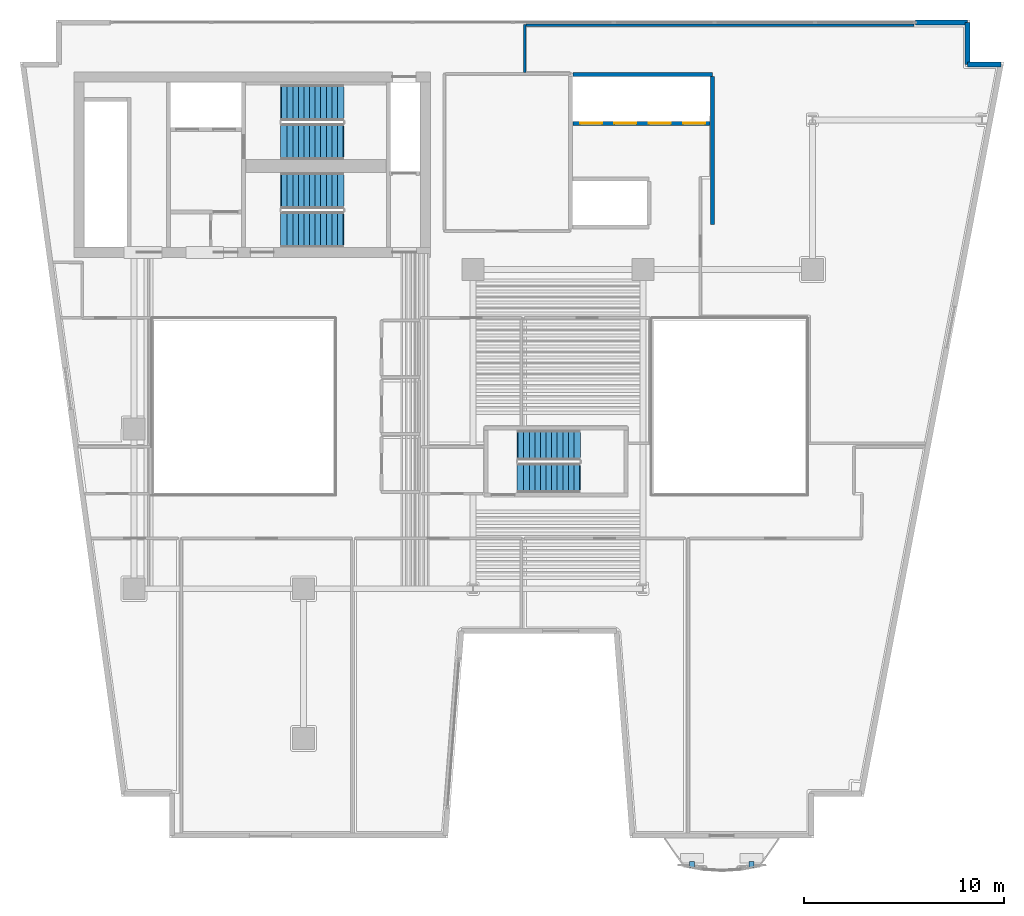
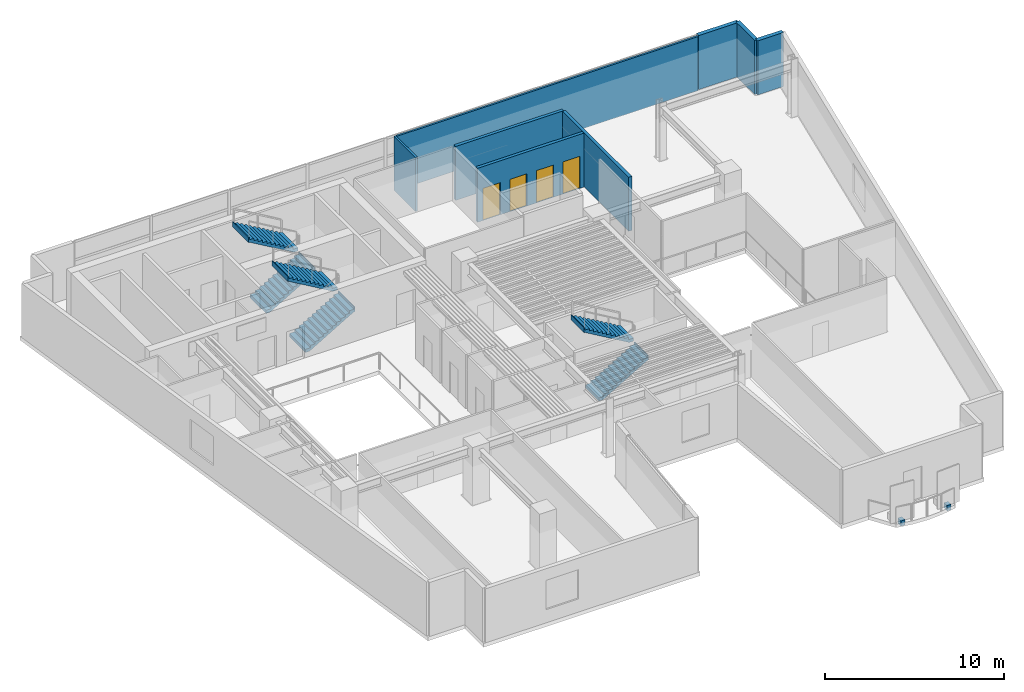
# One storey, part 8 of 12: 8 walls, 6 stair flights, 4 doors, 2 discrete accessories, 4 openings, 3 elements without a shape of their own.
"""IFC4 building model written with IfcOpenShell, lengths in metres."""

from ifc_helpers import new_model, si_unit, direction, frame, frame_2d, origin, origin_2d, place, context, subcontext, project, spatial, polyline, rectangle, outline, extrude, material, layer, layer_set, type_object, element, fill, aggregate, save


model = new_model("IFC4")

# Units and contexts
model_context = context("Model", 3, precision=1e-05, world=origin(), true_north=direction((0.0, 1.0)))
body_context = subcontext(model_context, "Body", "Model", "MODEL_VIEW")
ifc_project = project(units=[si_unit("LENGTHUNIT", "METRE"), si_unit("AREAUNIT", "SQUARE_METRE"), si_unit("VOLUMEUNIT", "CUBIC_METRE"), si_unit("PLANEANGLEUNIT", "RADIAN"), si_unit("MASSUNIT", "GRAM", prefix="KILO")], contexts=[model_context])

# Site, building, storey
site_placement = place(None, origin())
site = spatial("IfcSite", under=ifc_project, at=site_placement, CompositionType="ELEMENT")
building_placement = place(site_placement, origin())
building = spatial("IfcBuilding", under=site, at=building_placement, Name="Caeloran Harvest Quay", CompositionType="ELEMENT")
storey_placement = place(building_placement, frame((0.0, 0.0, 154.85009765625)))
storey = spatial("IfcBuildingStorey", under=building, at=storey_placement, Name="L36", CompositionType="ELEMENT", Elevation=154.85009765625)

# Walls
ifc_material_1 = material(Name="Precast concrete C50/60", Category="concrete")
ifc_layer_1 = layer(ifc_material_1, 0.260009765625, Name="Precast concrete C50/60")
ifc_layer_set_1 = layer_set([ifc_layer_1], Name="Precast concrete C50/60")
wall_type_1 = type_object("IfcWallType", Name="ENV-WALL-EW-260", PredefinedType="STANDARD", material=ifc_layer_set_1)
wall_1_placement = place(storey_placement, frame((47.669921875, 43.3701171875, 0.0), z_axis=(0.0, 0.0, 1.0), x_axis=(1.0, 0.0, 0.0)))
element("IfcWall", 1, at=wall_1_placement, inside=storey, type_object=wall_type_1, Name="L36 Exterior Facade Corner Pier Wall 6B", PredefinedType="STANDARD", context=body_context, shape_type="SweptSolid", body=[
    extrude(rectangle(XDim=2.60009765625, YDim=0.260009765625, at=frame_2d((1.300048828125, 0.0))), origin(), (0.0, 0.0, 1.0), 3.68994140625),
])
wall_2_placement = place(storey_placement, frame((50.27001953125, 43.3701171875, 0.0), z_axis=(0.0, 0.0, 1.0), x_axis=(0.0, -1.0, 0.0)))
element("IfcWall", 2, at=wall_2_placement, inside=storey, type_object=wall_type_1, Name="L36 Exterior Precast Concrete Facade Wall 7", PredefinedType="STANDARD", context=body_context, shape_type="SweptSolid", body=[
    extrude(rectangle(XDim=2.10009765625, YDim=0.260009765625, at=frame_2d((1.050048828125, 0.0))), origin(), (0.0, 0.0, 1.0), 3.68994140625),
])
wall_3_placement = place(storey_placement, frame((50.27001953125, 41.27001953125, 0.0), z_axis=(0.0, 0.0, 1.0), x_axis=(1.0, 0.0, 0.0)))
element("IfcWall", 3, at=wall_3_placement, inside=storey, type_object=wall_type_1, Name="L36 Exterior Precast Concrete Facade Wall 8", PredefinedType="STANDARD", context=body_context, shape_type="SweptSolid", body=[
    extrude(rectangle(XDim=1.671875, YDim=0.260009765625, at=frame_2d((0.8359375, 0.0))), origin(), (0.0, 0.0, 1.0), 3.68994140625),
])
ifc_material_2 = material(Name="Twin-Stud Mineral-Wool Acoustic Gypsum Partition", Category="gypsum")
ifc_layer_2 = layer(ifc_material_2, 0.125, Name="Twin-Stud Mineral-Wool Acoustic Gypsum Partition")
ifc_layer_set_2 = layer_set([ifc_layer_2], Name="Twin-Stud Mineral-Wool Acoustic Gypsum Partition")
wall_type_2 = type_object("IfcWallType", Name="INT-WALL-PW-125", PredefinedType="PARTITIONING", material=ifc_layer_set_2)
wall_4_placement = place(storey_placement, frame((28.080078125, 40.867431640625, 0.0), z_axis=(0.0, 0.0, 1.0), x_axis=(0.0, 1.0, 0.0)))
element("IfcWall", 4, at=wall_4_placement, inside=storey, type_object=wall_type_2, Name="Seed IP Legal Counsel Office 11 Partition Wall", PredefinedType="PARTITIONING", context=body_context, shape_type="SweptSolid", body=[
    extrude(rectangle(XDim=2.3974609375, YDim=0.125, at=frame_2d((1.19873046875, 0.0))), origin(), (0.0, 0.0, 1.0), 3.68994140625),
])
wall_5_placement = place(storey_placement, frame((28.1474609375, 43.239990234375, 0.0), z_axis=(0.0, 0.0, 1.0), x_axis=(1.0, 0.0, 0.0)))
element("IfcWall", 5, at=wall_5_placement, inside=storey, type_object=wall_type_2, Name="Seed IP Legal Counsel Office 11 Partition Wall", PredefinedType="PARTITIONING", context=body_context, shape_type="SweptSolid", body=[
    extrude(rectangle(XDim=19.447998046875, YDim=0.125, at=frame_2d((9.72412109375, 0.0))), origin(), (0.0, 0.0, 1.0), 3.68994140625),
])
ifc_material_3 = material(Name="Concrete C50/60", Category="concrete")
ifc_layer_3 = layer(ifc_material_3, 0.199951171875, Name="Concrete C50/60")
ifc_layer_set_3 = layer_set([ifc_layer_3], Name="Concrete C50/60")
wall_type_3 = type_object("IfcWallType", Name="INT-WALL-SW-200", PredefinedType="PARTITIONING", material=ifc_layer_set_3)
wall_6_placement = place(storey_placement, frame((30.5, 40.780029296875, 0.0), z_axis=(0.0, 0.0, 1.0), x_axis=(1.0, 0.0, 0.0)))
element("IfcWall", 6, at=wall_6_placement, inside=storey, type_object=wall_type_3, Name="L36 Bank 2 Lift Shaft North Wall", PredefinedType="PARTITIONING", context=body_context, shape_type="SweptSolid", body=[
    extrude(rectangle(XDim=6.97998046875, YDim=0.199951171875, at=frame_2d((3.489990234375, 0.0))), origin(), (0.0, 0.0, 1.0), 3.68994140625),
])
wall_7_placement = place(storey_placement, frame((37.47998046875, 33.239990234375, 0.0), z_axis=(0.0, 0.0, 1.0), x_axis=(0.0, 1.0, 0.0)))
element("IfcWall", 7, at=wall_7_placement, inside=storey, type_object=wall_type_3, Name="L36 Bank 2 Lift Shaft East Wall", PredefinedType="PARTITIONING", context=body_context, shape_type="SweptSolid", body=[
    extrude(rectangle(XDim=7.419921875, YDim=0.199951171875, at=frame_2d((3.7099609375, 0.0))), origin(), (0.0, 0.0, 1.0), 3.68994140625),
])

# Wall, openings, doors
wall_8_placement = place(storey_placement, frame((30.5, 38.320068359375, 0.0), z_axis=(0.0, 0.0, 1.0), x_axis=(1.0, 0.0, 0.0)))
wall_8 = element("IfcWall", 8, at=wall_8_placement, inside=storey, type_object=wall_type_3, Name="L36 Bank 2 Lift Landing Front Wall", PredefinedType="PARTITIONING", context=body_context, shape_type="SweptSolid", body=[
    extrude(rectangle(XDim=6.860107421875, YDim=0.199951171875, at=frame_2d((3.43017578125, 0.0))), origin(), (0.0, 0.0, 1.0), 3.68994140625),
])
opening_1_placement = place(wall_8_placement, frame((0.360107421875, 0.0, 0.0)))
opening_1 = element("IfcOpeningElement", 9, at=opening_1_placement, cuts=wall_8, Name="Opening LD-01", PredefinedType="OPENING", context=body_context, shape_type="SweptSolid", body=[
    extrude(rectangle(XDim=1.10009765625, YDim=2.199951171875, at=frame_2d((0.550048828125, 1.10009765625))), frame((0.0, 0.10986328125, 0.0), z_axis=(0.0, -1.0, 0.0), x_axis=(1.0, 0.0, 0.0)), (0.0, 0.0, 1.0), 0.219970703125),
])
opening_2_placement = place(wall_8_placement, frame((2.080078125, 0.0, 0.0)))
opening_2 = element("IfcOpeningElement", 10, at=opening_2_placement, cuts=wall_8, Name="Opening LD-01", PredefinedType="OPENING", context=body_context, shape_type="SweptSolid", body=[
    extrude(rectangle(XDim=1.10009765625, YDim=2.199951171875, at=frame_2d((0.550048828125, 1.10009765625))), frame((0.0, 0.10986328125, 0.0), z_axis=(0.0, -1.0, 0.0), x_axis=(1.0, 0.0, 0.0)), (0.0, 0.0, 1.0), 0.219970703125),
])
opening_3_placement = place(wall_8_placement, frame((3.800048828125, 0.0, 0.0)))
opening_3 = element("IfcOpeningElement", 11, at=opening_3_placement, cuts=wall_8, Name="Opening LD-01", PredefinedType="OPENING", context=body_context, shape_type="SweptSolid", body=[
    extrude(rectangle(XDim=1.10009765625, YDim=2.199951171875, at=frame_2d((0.550048828125, 1.10009765625))), frame((0.0, 0.10986328125, 0.0), z_axis=(0.0, -1.0, 0.0), x_axis=(1.0, 0.0, 0.0)), (0.0, 0.0, 1.0), 0.219970703125),
])
opening_4_placement = place(wall_8_placement, frame((5.52001953125, 0.0, 0.0)))
opening_4 = element("IfcOpeningElement", 12, at=opening_4_placement, cuts=wall_8, Name="Opening LD-01", PredefinedType="OPENING", context=body_context, shape_type="SweptSolid", body=[
    extrude(rectangle(XDim=1.10009765625, YDim=2.199951171875, at=frame_2d((0.550048828125, 1.10009765625))), frame((0.0, 0.10986328125, 0.0), z_axis=(0.0, -1.0, 0.0), x_axis=(1.0, 0.0, 0.0)), (0.0, 0.0, 1.0), 0.219970703125),
])
ifc_material_4 = material(Name="Stainless Steel Grade 316", Category="steel")
door_type = type_object("IfcDoorType", Name="INTDOOR-LD-01", OperationType="NOTDEFINED", PredefinedType="DOOR", material=ifc_material_4)
door_1_placement = place(opening_1_placement, origin())
door_1 = element("IfcDoor", 13, at=door_1_placement, inside=storey, type_object=door_type, Name="Lift P2-1 Sliding Landing Door (L36)", OperationType="DOUBLE_DOOR_SLIDING", OverallHeight=2.199951171875, OverallWidth=1.10009765625, PredefinedType="DOOR", context=body_context, shape_type="SweptSolid", body=[
    extrude(rectangle(XDim=1.10009765625, YDim=2.199951171875, at=frame_2d((0.550048828125, 1.10009765625))), frame((0.0, 0.02490234375, 0.0), z_axis=(0.0, -1.0, 0.0), x_axis=(1.0, 0.0, 0.0)), (0.0, 0.0, 1.0), 0.050048828125),
])
fill(opening_1, door_1)
door_2_placement = place(opening_2_placement, origin())
door_2 = element("IfcDoor", 14, at=door_2_placement, inside=storey, type_object=door_type, Name="Lift P2-2 Sliding Landing Door (L36)", OperationType="DOUBLE_DOOR_SLIDING", OverallHeight=2.199951171875, OverallWidth=1.10009765625, PredefinedType="DOOR", context=body_context, shape_type="SweptSolid", body=[
    extrude(rectangle(XDim=1.10009765625, YDim=2.199951171875, at=frame_2d((0.550048828125, 1.10009765625))), frame((0.0, 0.02490234375, 0.0), z_axis=(0.0, -1.0, 0.0), x_axis=(1.0, 0.0, 0.0)), (0.0, 0.0, 1.0), 0.050048828125),
])
fill(opening_2, door_2)
door_3_placement = place(opening_3_placement, origin())
door_3 = element("IfcDoor", 15, at=door_3_placement, inside=storey, type_object=door_type, Name="Lift P2-3 Sliding Landing Door (L36)", OperationType="DOUBLE_DOOR_SLIDING", OverallHeight=2.199951171875, OverallWidth=1.10009765625, PredefinedType="DOOR", context=body_context, shape_type="SweptSolid", body=[
    extrude(rectangle(XDim=1.10009765625, YDim=2.199951171875, at=frame_2d((0.550048828125, 1.10009765625))), frame((0.0, 0.02490234375, 0.0), z_axis=(0.0, -1.0, 0.0), x_axis=(1.0, 0.0, 0.0)), (0.0, 0.0, 1.0), 0.050048828125),
])
fill(opening_3, door_3)
door_4_placement = place(opening_4_placement, origin())
door_4 = element("IfcDoor", 16, at=door_4_placement, inside=storey, type_object=door_type, Name="Lift P2-4 Sliding Landing Door (L36)", OperationType="DOUBLE_DOOR_SLIDING", OverallHeight=2.199951171875, OverallWidth=1.10009765625, PredefinedType="DOOR", context=body_context, shape_type="SweptSolid", body=[
    extrude(rectangle(XDim=1.10009765625, YDim=2.199951171875, at=frame_2d((0.550048828125, 1.10009765625))), frame((0.0, 0.02490234375, 0.0), z_axis=(0.0, -1.0, 0.0), x_axis=(1.0, 0.0, 0.0)), (0.0, 0.0, 1.0), 0.050048828125),
])
fill(opening_4, door_4)

# Stair, stair flights
stair_type_1 = type_object("IfcStairType", Name="STAIR-STC-180", PredefinedType="HALF_TURN_STAIR", material=ifc_material_3)
stair_1_placement = place(storey_placement, origin())
stair_1 = element("IfcStair", 17, at=stair_1_placement, inside=storey, type_object=stair_type_1, Name="L36 Core Pressurized Exit Stair ST-C1", PredefinedType="HALF_TURN_STAIR")
stair_flight_type_1 = type_object("IfcStairFlightType", Name="FLIGHT-STC-180", PredefinedType="STRAIGHT", material=ifc_material_3)
stair_flight_1_placement = place(storey_placement, frame((15.89990234375, 37.39990234375, 0.0), z_axis=(0.0, 0.0, 1.0), x_axis=(1.0, 0.0, 0.0)))
stair_flight_1 = element("IfcStairFlight", 18, at=stair_flight_1_placement, type_object=stair_flight_type_1, Name="ST-C1 flight 1", NumberOfRisers=12, NumberOfTreads=11, PredefinedType="STRAIGHT", RiserHeight=0.164583333, TreadLength=0.28, context=body_context, shape_type="SweptSolid", body=[
    extrude(outline(polyline([(-0.054931640625, -0.044921875), (-0.054931640625, -0.031982421875), (-0.054931640625, -0.018798828125), (-0.054931640625, -0.005615234375), (-0.054931640625, 0.00732421875), (-0.054931640625, 0.0205078125), (-0.054931640625, 0.03369140625), (-0.054931640625, 0.046630859375), (-0.054931640625, 0.059814453125), (-0.054931640625, 0.072998046875), (-0.054931640625, 0.0859375), (-0.054931640625, 0.09912109375), (-0.054931640625, 0.1123046875), (-0.054931640625, 0.125244140625), (-0.054931640625, 0.138427734375), (-0.054931640625, 0.1513671875), (-0.054931640625, 0.16455078125), (0.280029296875, 0.16455078125), (0.280029296875, 0.3291015625), (0.56005859375, 0.3291015625), (0.56005859375, 0.49365234375), (0.840087890625, 0.49365234375), (0.840087890625, 0.658447265625), (1.1201171875, 0.658447265625), (1.1201171875, 0.822998046875), (1.39990234375, 0.822998046875), (1.39990234375, 0.987548828125), (1.679931640625, 0.987548828125), (1.679931640625, 1.152099609375), (1.9599609375, 1.152099609375), (1.9599609375, 1.316650390625), (2.239990234375, 1.316650390625), (2.239990234375, 1.481201171875), (2.52001953125, 1.481201171875), (2.52001953125, 1.645751953125), (2.800048828125, 1.645751953125), (2.800048828125, 1.810302734375), (3.080078125, 1.810302734375), (3.080078125, 1.97509765625), (3.135009765625, 1.97509765625), (3.135009765625, 1.953857421875), (3.135009765625, 1.9326171875), (3.135009765625, 1.91162109375), (3.135009765625, 1.890380859375), (3.135009765625, 1.869140625), (3.135009765625, 1.84814453125), (3.135009765625, 1.826904296875), (3.135009765625, 1.8056640625), (3.135009765625, 1.78466796875), (3.135009765625, 1.763427734375), (3.135009765625, 1.7421875), (3.135009765625, 1.72119140625), (3.135009765625, 1.699951171875), (3.135009765625, 1.678955078125), (3.135009765625, 1.65771484375), (3.135009765625, 1.636474609375), (3.080078125, 1.636474609375), (0.21923828125, -0.044921875), (-0.054931640625, -0.044921875)])), frame((0.0, 0.89990234375, 0.0), z_axis=(0.0, -1.0, 0.0), x_axis=(1.0, 0.0, 0.0)), (0.0, 0.0, 1.0), 1.800048828125),
])
stair_flight_2_placement = place(storey_placement, frame((18.97998046875, 39.35009765625, 1.974853515625), z_axis=(0.0, 0.0, 1.0), x_axis=(-1.0, 0.0, 0.0)))
stair_flight_2 = element("IfcStairFlight", 19, at=stair_flight_2_placement, type_object=stair_flight_type_1, Name="ST-C1 flight 2", NumberOfRisers=12, NumberOfTreads=11, PredefinedType="STRAIGHT", RiserHeight=0.164583333, TreadLength=0.28, context=body_context, shape_type="SweptSolid", body=[
    extrude(outline(polyline([(-0.054931640625, -0.044921875), (-0.054931640625, -0.031982421875), (-0.054931640625, -0.018798828125), (-0.054931640625, -0.005615234375), (-0.054931640625, 0.00732421875), (-0.054931640625, 0.0205078125), (-0.054931640625, 0.03369140625), (-0.054931640625, 0.046630859375), (-0.054931640625, 0.059814453125), (-0.054931640625, 0.072998046875), (-0.054931640625, 0.0859375), (-0.054931640625, 0.09912109375), (-0.054931640625, 0.1123046875), (-0.054931640625, 0.125244140625), (-0.054931640625, 0.138427734375), (-0.054931640625, 0.1513671875), (-0.054931640625, 0.16455078125), (0.280029296875, 0.16455078125), (0.280029296875, 0.3291015625), (0.56005859375, 0.3291015625), (0.56005859375, 0.49365234375), (0.840087890625, 0.49365234375), (0.840087890625, 0.658447265625), (1.1201171875, 0.658447265625), (1.1201171875, 0.822998046875), (1.39990234375, 0.822998046875), (1.39990234375, 0.987548828125), (1.679931640625, 0.987548828125), (1.679931640625, 1.152099609375), (1.9599609375, 1.152099609375), (1.9599609375, 1.316650390625), (2.239990234375, 1.316650390625), (2.239990234375, 1.481201171875), (2.52001953125, 1.481201171875), (2.52001953125, 1.645751953125), (2.800048828125, 1.645751953125), (2.800048828125, 1.810302734375), (3.080078125, 1.810302734375), (3.080078125, 1.97509765625), (3.135009765625, 1.97509765625), (3.135009765625, 1.953857421875), (3.135009765625, 1.9326171875), (3.135009765625, 1.91162109375), (3.135009765625, 1.890380859375), (3.135009765625, 1.869140625), (3.135009765625, 1.84814453125), (3.135009765625, 1.826904296875), (3.135009765625, 1.8056640625), (3.135009765625, 1.78466796875), (3.135009765625, 1.763427734375), (3.135009765625, 1.7421875), (3.135009765625, 1.72119140625), (3.135009765625, 1.699951171875), (3.135009765625, 1.678955078125), (3.135009765625, 1.65771484375), (3.135009765625, 1.636474609375), (3.080078125, 1.636474609375), (0.21923828125, -0.044921875), (-0.054931640625, -0.044921875)])), frame((0.0, 0.89990234375, 0.0), z_axis=(0.0, -1.0, 0.0), x_axis=(1.0, 0.0, 0.0)), (0.0, 0.0, 1.0), 1.800048828125),
])
aggregate(stair_1, [stair_flight_1, stair_flight_2])

stair_2_placement = place(storey_placement, origin())
stair_2 = element("IfcStair", 20, at=stair_2_placement, inside=storey, type_object=stair_type_1, Name="L36 Core Pressurized Exit Stair ST-C2", PredefinedType="HALF_TURN_STAIR")
stair_flight_3_placement = place(storey_placement, frame((15.89990234375, 33.0, 0.0), z_axis=(0.0, 0.0, 1.0), x_axis=(1.0, 0.0, 0.0)))
stair_flight_3 = element("IfcStairFlight", 21, at=stair_flight_3_placement, type_object=stair_flight_type_1, Name="ST-C2 flight 1", NumberOfRisers=12, NumberOfTreads=11, PredefinedType="STRAIGHT", RiserHeight=0.164583333, TreadLength=0.28, context=body_context, shape_type="SweptSolid", body=[
    extrude(outline(polyline([(-0.054931640625, -0.044921875), (-0.054931640625, -0.031982421875), (-0.054931640625, -0.018798828125), (-0.054931640625, -0.005615234375), (-0.054931640625, 0.00732421875), (-0.054931640625, 0.0205078125), (-0.054931640625, 0.03369140625), (-0.054931640625, 0.046630859375), (-0.054931640625, 0.059814453125), (-0.054931640625, 0.072998046875), (-0.054931640625, 0.0859375), (-0.054931640625, 0.09912109375), (-0.054931640625, 0.1123046875), (-0.054931640625, 0.125244140625), (-0.054931640625, 0.138427734375), (-0.054931640625, 0.1513671875), (-0.054931640625, 0.16455078125), (0.280029296875, 0.16455078125), (0.280029296875, 0.3291015625), (0.56005859375, 0.3291015625), (0.56005859375, 0.49365234375), (0.840087890625, 0.49365234375), (0.840087890625, 0.658447265625), (1.1201171875, 0.658447265625), (1.1201171875, 0.822998046875), (1.39990234375, 0.822998046875), (1.39990234375, 0.987548828125), (1.679931640625, 0.987548828125), (1.679931640625, 1.152099609375), (1.9599609375, 1.152099609375), (1.9599609375, 1.316650390625), (2.239990234375, 1.316650390625), (2.239990234375, 1.481201171875), (2.52001953125, 1.481201171875), (2.52001953125, 1.645751953125), (2.800048828125, 1.645751953125), (2.800048828125, 1.810302734375), (3.080078125, 1.810302734375), (3.080078125, 1.97509765625), (3.135009765625, 1.97509765625), (3.135009765625, 1.953857421875), (3.135009765625, 1.9326171875), (3.135009765625, 1.91162109375), (3.135009765625, 1.890380859375), (3.135009765625, 1.869140625), (3.135009765625, 1.84814453125), (3.135009765625, 1.826904296875), (3.135009765625, 1.8056640625), (3.135009765625, 1.78466796875), (3.135009765625, 1.763427734375), (3.135009765625, 1.7421875), (3.135009765625, 1.72119140625), (3.135009765625, 1.699951171875), (3.135009765625, 1.678955078125), (3.135009765625, 1.65771484375), (3.135009765625, 1.636474609375), (3.080078125, 1.636474609375), (0.21923828125, -0.044921875), (-0.054931640625, -0.044921875)])), frame((0.0, 0.89990234375, 0.0), z_axis=(0.0, -1.0, 0.0), x_axis=(1.0, 0.0, 0.0)), (0.0, 0.0, 1.0), 1.800048828125),
])
stair_flight_4_placement = place(storey_placement, frame((18.97998046875, 34.949951171875, 1.974853515625), z_axis=(0.0, 0.0, 1.0), x_axis=(-1.0, 0.0, 0.0)))
stair_flight_4 = element("IfcStairFlight", 22, at=stair_flight_4_placement, type_object=stair_flight_type_1, Name="ST-C2 flight 2", NumberOfRisers=12, NumberOfTreads=11, PredefinedType="STRAIGHT", RiserHeight=0.164583333, TreadLength=0.28, context=body_context, shape_type="SweptSolid", body=[
    extrude(outline(polyline([(-0.054931640625, -0.044921875), (-0.054931640625, -0.031982421875), (-0.054931640625, -0.018798828125), (-0.054931640625, -0.005615234375), (-0.054931640625, 0.00732421875), (-0.054931640625, 0.0205078125), (-0.054931640625, 0.03369140625), (-0.054931640625, 0.046630859375), (-0.054931640625, 0.059814453125), (-0.054931640625, 0.072998046875), (-0.054931640625, 0.0859375), (-0.054931640625, 0.09912109375), (-0.054931640625, 0.1123046875), (-0.054931640625, 0.125244140625), (-0.054931640625, 0.138427734375), (-0.054931640625, 0.1513671875), (-0.054931640625, 0.16455078125), (0.280029296875, 0.16455078125), (0.280029296875, 0.3291015625), (0.56005859375, 0.3291015625), (0.56005859375, 0.49365234375), (0.840087890625, 0.49365234375), (0.840087890625, 0.658447265625), (1.1201171875, 0.658447265625), (1.1201171875, 0.822998046875), (1.39990234375, 0.822998046875), (1.39990234375, 0.987548828125), (1.679931640625, 0.987548828125), (1.679931640625, 1.152099609375), (1.9599609375, 1.152099609375), (1.9599609375, 1.316650390625), (2.239990234375, 1.316650390625), (2.239990234375, 1.481201171875), (2.52001953125, 1.481201171875), (2.52001953125, 1.645751953125), (2.800048828125, 1.645751953125), (2.800048828125, 1.810302734375), (3.080078125, 1.810302734375), (3.080078125, 1.97509765625), (3.135009765625, 1.97509765625), (3.135009765625, 1.953857421875), (3.135009765625, 1.9326171875), (3.135009765625, 1.91162109375), (3.135009765625, 1.890380859375), (3.135009765625, 1.869140625), (3.135009765625, 1.84814453125), (3.135009765625, 1.826904296875), (3.135009765625, 1.8056640625), (3.135009765625, 1.78466796875), (3.135009765625, 1.763427734375), (3.135009765625, 1.7421875), (3.135009765625, 1.72119140625), (3.135009765625, 1.699951171875), (3.135009765625, 1.678955078125), (3.135009765625, 1.65771484375), (3.135009765625, 1.636474609375), (3.080078125, 1.636474609375), (0.21923828125, -0.044921875), (-0.054931640625, -0.044921875)])), frame((0.0, 0.89990234375, 0.0), z_axis=(0.0, -1.0, 0.0), x_axis=(1.0, 0.0, 0.0)), (0.0, 0.0, 1.0), 1.800048828125),
])
aggregate(stair_2, [stair_flight_3, stair_flight_4])

stair_type_2 = type_object("IfcStairType", Name="STAIR-STW-150", PredefinedType="HALF_TURN_STAIR", material=ifc_material_3)
stair_3_placement = place(storey_placement, origin())
stair_3 = element("IfcStair", 23, at=stair_3_placement, inside=storey, type_object=stair_type_2, Name="L36 East Wing Protected Exit Stair ST-W1", PredefinedType="HALF_TURN_STAIR")
stair_flight_type_2 = type_object("IfcStairFlightType", Name="FLIGHT-STW-150", PredefinedType="STRAIGHT", material=ifc_material_3)
stair_flight_5_placement = place(storey_placement, frame((27.75, 20.550048828125, 0.0), z_axis=(0.0, 0.0, 1.0), x_axis=(1.0, 0.0, 0.0)))
stair_flight_5 = element("IfcStairFlight", 24, at=stair_flight_5_placement, type_object=stair_flight_type_2, Name="ST-W1 flight 1", NumberOfRisers=12, NumberOfTreads=11, PredefinedType="STRAIGHT", RiserHeight=0.164583333, TreadLength=0.28, context=body_context, shape_type="SweptSolid", body=[
    extrude(outline(polyline([(-0.054931640625, -0.044921875), (-0.054931640625, -0.031982421875), (-0.054931640625, -0.018798828125), (-0.054931640625, -0.005615234375), (-0.054931640625, 0.00732421875), (-0.054931640625, 0.0205078125), (-0.054931640625, 0.03369140625), (-0.054931640625, 0.046630859375), (-0.054931640625, 0.059814453125), (-0.054931640625, 0.072998046875), (-0.054931640625, 0.0859375), (-0.054931640625, 0.09912109375), (-0.054931640625, 0.1123046875), (-0.054931640625, 0.125244140625), (-0.054931640625, 0.138427734375), (-0.054931640625, 0.1513671875), (-0.054931640625, 0.16455078125), (0.280029296875, 0.16455078125), (0.280029296875, 0.3291015625), (0.56005859375, 0.3291015625), (0.56005859375, 0.49365234375), (0.840087890625, 0.49365234375), (0.840087890625, 0.658447265625), (1.1201171875, 0.658447265625), (1.1201171875, 0.822998046875), (1.39990234375, 0.822998046875), (1.39990234375, 0.987548828125), (1.679931640625, 0.987548828125), (1.679931640625, 1.152099609375), (1.9599609375, 1.152099609375), (1.9599609375, 1.316650390625), (2.239990234375, 1.316650390625), (2.239990234375, 1.481201171875), (2.52001953125, 1.481201171875), (2.52001953125, 1.645751953125), (2.800048828125, 1.645751953125), (2.800048828125, 1.810302734375), (3.080078125, 1.810302734375), (3.080078125, 1.97509765625), (3.135009765625, 1.97509765625), (3.135009765625, 1.953857421875), (3.135009765625, 1.9326171875), (3.135009765625, 1.91162109375), (3.135009765625, 1.890380859375), (3.135009765625, 1.869140625), (3.135009765625, 1.84814453125), (3.135009765625, 1.826904296875), (3.135009765625, 1.8056640625), (3.135009765625, 1.78466796875), (3.135009765625, 1.763427734375), (3.135009765625, 1.7421875), (3.135009765625, 1.72119140625), (3.135009765625, 1.699951171875), (3.135009765625, 1.678955078125), (3.135009765625, 1.65771484375), (3.135009765625, 1.636474609375), (3.080078125, 1.636474609375), (0.21923828125, -0.044921875), (-0.054931640625, -0.044921875)])), frame((0.0, 0.75, 0.0), z_axis=(0.0, -1.0, 0.0), x_axis=(1.0, 0.0, 0.0)), (0.0, 0.0, 1.0), 1.5),
])
stair_flight_6_placement = place(storey_placement, frame((30.830078125, 22.199951171875, 1.974853515625), z_axis=(0.0, 0.0, 1.0), x_axis=(-1.0, 0.0, 0.0)))
stair_flight_6 = element("IfcStairFlight", 25, at=stair_flight_6_placement, type_object=stair_flight_type_2, Name="ST-W1 flight 2", NumberOfRisers=12, NumberOfTreads=11, PredefinedType="STRAIGHT", RiserHeight=0.164583333, TreadLength=0.28, context=body_context, shape_type="SweptSolid", body=[
    extrude(outline(polyline([(-0.054931640625, -0.044921875), (-0.054931640625, -0.031982421875), (-0.054931640625, -0.018798828125), (-0.054931640625, -0.005615234375), (-0.054931640625, 0.00732421875), (-0.054931640625, 0.0205078125), (-0.054931640625, 0.03369140625), (-0.054931640625, 0.046630859375), (-0.054931640625, 0.059814453125), (-0.054931640625, 0.072998046875), (-0.054931640625, 0.0859375), (-0.054931640625, 0.09912109375), (-0.054931640625, 0.1123046875), (-0.054931640625, 0.125244140625), (-0.054931640625, 0.138427734375), (-0.054931640625, 0.1513671875), (-0.054931640625, 0.16455078125), (0.280029296875, 0.16455078125), (0.280029296875, 0.3291015625), (0.56005859375, 0.3291015625), (0.56005859375, 0.49365234375), (0.840087890625, 0.49365234375), (0.840087890625, 0.658447265625), (1.1201171875, 0.658447265625), (1.1201171875, 0.822998046875), (1.39990234375, 0.822998046875), (1.39990234375, 0.987548828125), (1.679931640625, 0.987548828125), (1.679931640625, 1.152099609375), (1.9599609375, 1.152099609375), (1.9599609375, 1.316650390625), (2.239990234375, 1.316650390625), (2.239990234375, 1.481201171875), (2.52001953125, 1.481201171875), (2.52001953125, 1.645751953125), (2.800048828125, 1.645751953125), (2.800048828125, 1.810302734375), (3.080078125, 1.810302734375), (3.080078125, 1.97509765625), (3.135009765625, 1.97509765625), (3.135009765625, 1.953857421875), (3.135009765625, 1.9326171875), (3.135009765625, 1.91162109375), (3.135009765625, 1.890380859375), (3.135009765625, 1.869140625), (3.135009765625, 1.84814453125), (3.135009765625, 1.826904296875), (3.135009765625, 1.8056640625), (3.135009765625, 1.78466796875), (3.135009765625, 1.763427734375), (3.135009765625, 1.7421875), (3.135009765625, 1.72119140625), (3.135009765625, 1.699951171875), (3.135009765625, 1.678955078125), (3.135009765625, 1.65771484375), (3.135009765625, 1.636474609375), (3.080078125, 1.636474609375), (0.21923828125, -0.044921875), (-0.054931640625, -0.044921875)])), frame((0.0, 0.75, 0.0), z_axis=(0.0, -1.0, 0.0), x_axis=(1.0, 0.0, 0.0)), (0.0, 0.0, 1.0), 1.5),
])
aggregate(stair_3, [stair_flight_5, stair_flight_6])

# Discrete accessories
ifc_material_5 = material(Name="Stainless Steel Grade 316L", Category="steel")
discrete_accessory_type = type_object("IfcDiscreteAccessoryType", Name="BRACKET-SCREEN-SS", PredefinedType="BRACKET", material=ifc_material_5)
for number, where, z_axis, x_axis, name in (
    (26, (39.44921875, 1.17138671875, -0.22021484375), (0.0, 0.0, 1.0), (1.0, 0.0, 0.0), "L36 Balcony Screen Support Bracket 1"),
    (27, (36.4658203125, 1.17138671875, -0.22021484375), (0.0, 0.0, 1.0), (1.0, 0.0, 0.0), "L36 Balcony Screen Support Bracket 2"),
):
    element("IfcDiscreteAccessory", number, at=place(storey_placement, frame(where, z_axis=z_axis, x_axis=x_axis)), inside=storey, type_object=discrete_accessory_type, Name=name, PredefinedType="BRACKET", context=body_context, shape_type="SweptSolid", body=[
        extrude(rectangle(XDim=0.260009765625, YDim=0.340087890625, at=origin_2d()), origin(), (0.0, 0.0, 1.0), 0.360107421875),
    ])

save(model, "model.ifc")
